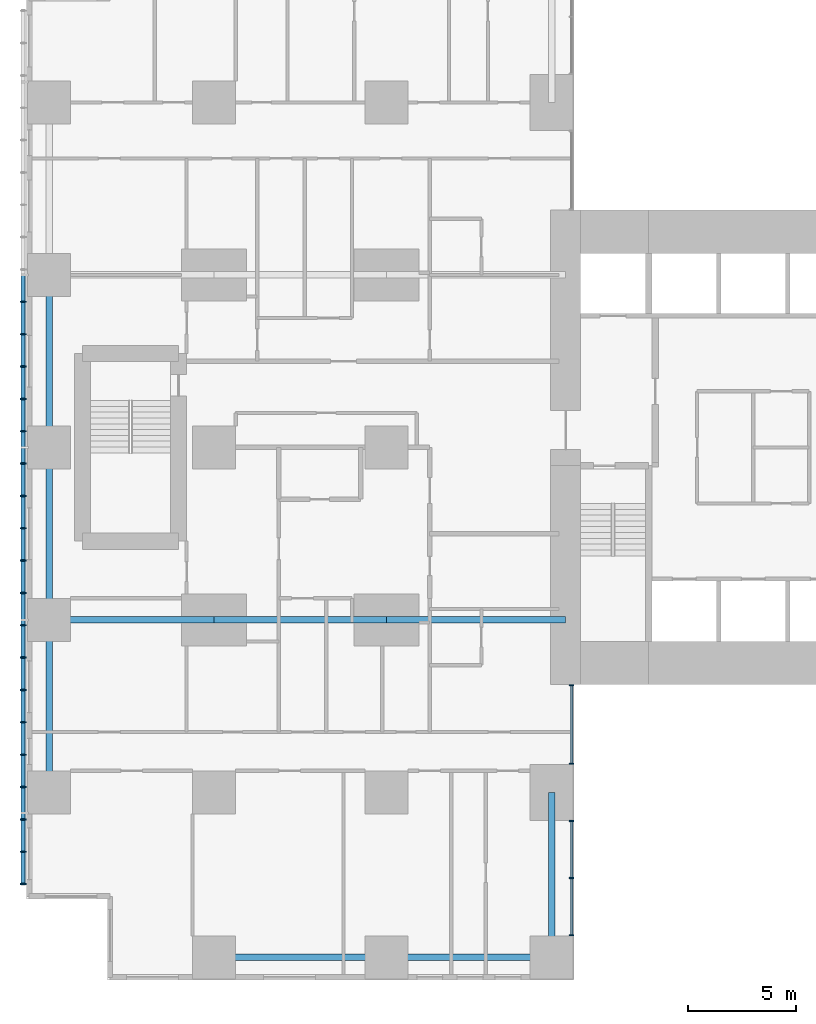
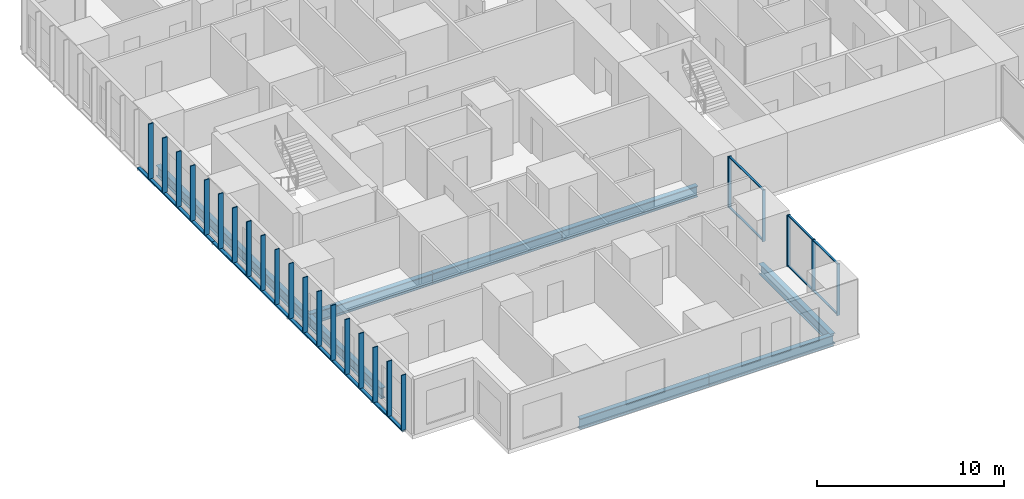
# One storey, part 2 of 20: 33 members, 9 beams, 2 elements without a shape of their own.
"""IFC4 building model written with IfcOpenShell, lengths in metres."""

from ifc_helpers import new_model, si_unit, direction, frame, origin, origin_2d, place, context, subcontext, project, spatial, rectangle, hollow_rectangle, i_section, extrude, material, layer, layer_set, material_profile, profile_set, type_object, element, aggregate, save


model = new_model("IFC4")

# Units and contexts
model_context = context("Model", 3, precision=1e-05, world=origin(), true_north=direction((0.0, 1.0)))
body_context = subcontext(model_context, "Body", "Model", "MODEL_VIEW")
ifc_project = project(units=[si_unit("LENGTHUNIT", "METRE"), si_unit("AREAUNIT", "SQUARE_METRE"), si_unit("VOLUMEUNIT", "CUBIC_METRE"), si_unit("PLANEANGLEUNIT", "RADIAN"), si_unit("MASSUNIT", "GRAM", prefix="KILO")], contexts=[model_context])

# Site, building, storey
site_placement = place(None, origin())
site = spatial("IfcSite", under=ifc_project, at=site_placement, CompositionType="ELEMENT")
building_placement = place(site_placement, origin())
building = spatial("IfcBuilding", under=site, at=building_placement, Name="Cleftline Residences", CompositionType="ELEMENT")
storey_placement = place(building_placement, frame((0.0, 0.0, 103.39990234375)))
storey = spatial("IfcBuildingStorey", under=building, at=storey_placement, Name="L26", CompositionType="ELEMENT", Elevation=103.39990234375)

# Members
ifc_material_1 = material(Name="Steel S355, hot-dip galvanised", Category="steel")
ifc_material_profile_1 = material_profile(ifc_material_1, hollow_rectangle(XDim=0.10009765625, YDim=0.199951171875, WallThickness=0.008056640625, InnerFilletRadius=0.008056640625, OuterFilletRadius=0.011962890625, at=origin_2d()))
ifc_profile_set_1 = profile_set([ifc_material_profile_1], Name="Steel S355, hot-dip galvanised")
member_type_1 = type_object("IfcMemberType", Name="BAGUETTE CARRIER RHS 200X100X8", PredefinedType="USERDEFINED", material=ifc_profile_set_1)
for number, where, z_axis, x_axis, name in (
    (1, (-0.85009765625, 32.0, -0.0498046875), (0.0, -1.0, 0.0), (0.0, 0.0, 1.0), "Baguette carrier"),
    (2, (-0.85009765625, 24.0, -0.0498046875), (0.0, -1.0, 0.0), (0.0, 0.0, 1.0), "Baguette carrier"),
):
    element("IfcMember", number, at=place(storey_placement, frame(where, z_axis=z_axis, x_axis=x_axis)), inside=storey, type_object=member_type_1, Name=name, ObjectType="BAGUETTE CARRIER", PredefinedType="USERDEFINED", context=body_context, shape_type="SweptSolid", body=[
        extrude(hollow_rectangle(XDim=0.10009765625, YDim=0.199951171875, WallThickness=0.008056640625, InnerFilletRadius=0.008056640625, OuterFilletRadius=0.011962890625, at=origin_2d()), origin(), (0.0, 0.0, 1.0), 8.0),
    ])
member_1_placement = place(storey_placement, frame((-0.85009765625, 16.0, -0.0498046875), z_axis=(0.0, -1.0, 0.0), x_axis=(0.0, 0.0, 1.0)))
element("IfcMember", 3, at=member_1_placement, inside=storey, type_object=member_type_1, Name="Baguette carrier", ObjectType="BAGUETTE CARRIER", PredefinedType="USERDEFINED", context=body_context, shape_type="SweptSolid", body=[
    extrude(hollow_rectangle(XDim=0.10009765625, YDim=0.199951171875, WallThickness=0.008056640625, InnerFilletRadius=0.008056640625, OuterFilletRadius=0.011962890625, at=origin_2d()), origin(), (0.0, 0.0, 1.0), 12.300048828125),
])

# Beams
ifc_material_2 = material(Name="Steel S355", Category="steel")
ifc_material_profile_2 = material_profile(ifc_material_2, i_section(OverallWidth=0.300048828125, OverallDepth=0.699951171875, WebThickness=0.01708984375, FlangeThickness=0.031982421875, FilletRadius=0.027099609375, at=origin_2d()))
ifc_profile_set_2 = profile_set([ifc_material_profile_2], Name="Steel S355")
beam_type_1 = type_object("IfcBeamType", Name="BEAM HEB 700", PredefinedType="BEAM", material=ifc_profile_set_2)
for number, where, z_axis, x_axis, name in (
    (4, (0.35009765625, 8.0, -0.599853515625), (0.0, 1.0, 0.0), (-1.0, 0.0, 0.0), "Edge beam"),
    (5, (0.35009765625, 16.0, -0.599853515625), (0.0, 1.0, 0.0), (-1.0, 0.0, 0.0), "Edge beam"),
    (6, (0.35009765625, 24.0, -0.599853515625), (0.0, 1.0, 0.0), (-1.0, 0.0, 0.0), "Edge beam"),
    (7, (8.0, 0.35009765625, -0.599853515625), (1.0, 0.0, 0.0), (0.0, 1.0, 0.0), "Edge beam"),
):
    element("IfcBeam", number, at=place(storey_placement, frame(where, z_axis=z_axis, x_axis=x_axis)), inside=storey, type_object=beam_type_1, Name=name, PredefinedType="BEAM", context=body_context, shape_type="SweptSolid", body=[
        extrude(i_section(OverallWidth=0.300048828125, OverallDepth=0.699951171875, WebThickness=0.01708984375, FlangeThickness=0.031982421875, FilletRadius=0.027099609375, at=origin_2d()), origin(), (0.0, 0.0, 1.0), 8.0),
    ])
for number, where, z_axis, x_axis, name in (
    (8, (16.0, 0.35009765625, -0.599853515625), (1.0, 0.0, 0.0), (0.0, 1.0, 0.0), "Edge beam"),
    (9, (23.64990234375, 0.35009765625, -0.599853515625), (0.0, 1.0, 0.0), (-1.0, 0.0, 0.0), "Edge beam"),
):
    element("IfcBeam", number, at=place(storey_placement, frame(where, z_axis=z_axis, x_axis=x_axis)), inside=storey, type_object=beam_type_1, Name=name, PredefinedType="BEAM", context=body_context, shape_type="SweptSolid", body=[
        extrude(i_section(OverallWidth=0.300048828125, OverallDepth=0.699951171875, WebThickness=0.01708984375, FlangeThickness=0.031982421875, FilletRadius=0.027099609375, at=origin_2d()), origin(), (0.0, 0.0, 1.0), 7.64990234375),
    ])
ifc_material_3 = material(Name="Steel S355", Category="steel")
ifc_material_profile_3 = material_profile(ifc_material_3, i_section(OverallWidth=0.303955078125, OverallDepth=0.716064453125, WebThickness=0.02099609375, FlangeThickness=0.0400390625, FilletRadius=0.027099609375, at=origin_2d()))
ifc_profile_set_3 = profile_set([ifc_material_profile_3], Name="Steel S355")
beam_type_2 = type_object("IfcBeamType", Name="BEAM HEM 700", PredefinedType="BEAM", material=ifc_profile_set_3)
beam_1_placement = place(storey_placement, frame((0.35009765625, 16.0, -0.60791015625), z_axis=(1.0, 0.0, 0.0), x_axis=(0.0, 1.0, 0.0)))
element("IfcBeam", 10, at=beam_1_placement, inside=storey, type_object=beam_type_2, Name="Band beam", PredefinedType="BEAM", context=body_context, shape_type="SweptSolid", body=[
    extrude(i_section(OverallWidth=0.303955078125, OverallDepth=0.716064453125, WebThickness=0.02099609375, FlangeThickness=0.0400390625, FilletRadius=0.027099609375, at=origin_2d()), origin(), (0.0, 0.0, 1.0), 7.64990234375),
])
beam_2_placement = place(storey_placement, frame((8.0, 16.0, -0.60791015625), z_axis=(1.0, 0.0, 0.0), x_axis=(0.0, 1.0, 0.0)))
element("IfcBeam", 11, at=beam_2_placement, inside=storey, type_object=beam_type_2, Name="Band beam", PredefinedType="BEAM", context=body_context, shape_type="SweptSolid", body=[
    extrude(i_section(OverallWidth=0.303955078125, OverallDepth=0.716064453125, WebThickness=0.02099609375, FlangeThickness=0.0400390625, FilletRadius=0.027099609375, at=origin_2d()), origin(), (0.0, 0.0, 1.0), 8.0),
])
beam_3_placement = place(storey_placement, frame((16.0, 16.0, -0.60791015625), z_axis=(1.0, 0.0, 0.0), x_axis=(0.0, 1.0, 0.0)))
element("IfcBeam", 12, at=beam_3_placement, inside=storey, type_object=beam_type_2, Name="Band beam", PredefinedType="BEAM", context=body_context, shape_type="SweptSolid", body=[
    extrude(i_section(OverallWidth=0.303955078125, OverallDepth=0.716064453125, WebThickness=0.02099609375, FlangeThickness=0.0400390625, FilletRadius=0.027099609375, at=origin_2d()), origin(), (0.0, 0.0, 1.0), 8.300048828125),
])

# Curtain wall, members
ifc_material_4 = material(Name="Aluminium framed curtain wall", Category="aluminium")
ifc_layer = layer(ifc_material_4, 0.199951171875)
ifc_layer_set = layer_set([ifc_layer], Name="CW1 CLEFT GLAZING")
curtain_wall_type = type_object("IfcCurtainWallType", Name="CW1 CLEFT GLAZING", PredefinedType="NOTDEFINED", material=ifc_layer_set)
curtain_wall_1_placement = place(storey_placement, origin())
curtain_wall_1 = element("IfcCurtainWall", 13, at=curtain_wall_1_placement, inside=storey, type_object=curtain_wall_type, Name="Curtain wall CW1", PredefinedType="NOTDEFINED")
ifc_material_5 = material(Name="Aluminium mullion", Category="aluminium")
ifc_material_profile_4 = material_profile(ifc_material_5, rectangle(XDim=0.199951171875, YDim=0.06005859375, at=origin_2d()))
ifc_profile_set_4 = profile_set([ifc_material_profile_4], Name="Aluminium mullion")
member_type_2 = type_object("IfcMemberType", Name="CW1 MULLION", PredefinedType="MULLION", material=ifc_profile_set_4)
member_2_placement = place(storey_placement, frame((24.574951171875, 1.3798828125, 0.0), z_axis=(0.0, 0.0, 1.0), x_axis=(-1.0, 0.0, 0.0)))
member_2 = element("IfcMember", 14, at=member_2_placement, type_object=member_type_2, Name="CW1 mullion 1", PredefinedType="MULLION", context=body_context, shape_type="SweptSolid", body=[
    extrude(rectangle(XDim=0.199951171875, YDim=0.06005859375, at=origin_2d()), origin(), (0.0, 0.0, 1.0), 3.35009765625),
])
member_3_placement = place(storey_placement, frame((24.574951171875, 4.02490234375, 0.0), z_axis=(0.0, 0.0, 1.0), x_axis=(-1.0, 0.0, 0.0)))
member_3 = element("IfcMember", 15, at=member_3_placement, type_object=member_type_2, Name="CW1 mullion 2", PredefinedType="MULLION", context=body_context, shape_type="SweptSolid", body=[
    extrude(rectangle(XDim=0.199951171875, YDim=0.06005859375, at=origin_2d()), origin(), (0.0, 0.0, 1.0), 3.35009765625),
])
member_4_placement = place(storey_placement, frame((24.574951171875, 6.669921875, 0.0), z_axis=(0.0, 0.0, 1.0), x_axis=(-1.0, 0.0, 0.0)))
member_4 = element("IfcMember", 16, at=member_4_placement, type_object=member_type_2, Name="CW1 mullion 3", PredefinedType="MULLION", context=body_context, shape_type="SweptSolid", body=[
    extrude(rectangle(XDim=0.199951171875, YDim=0.06005859375, at=origin_2d()), origin(), (0.0, 0.0, 1.0), 3.35009765625),
])

curtain_wall_2_placement = place(storey_placement, origin())
curtain_wall_2 = element("IfcCurtainWall", 17, at=curtain_wall_2_placement, inside=storey, type_object=curtain_wall_type, Name="Curtain wall CW1", PredefinedType="NOTDEFINED")
member_5_placement = place(storey_placement, frame((24.574951171875, 9.330078125, 0.0), z_axis=(0.0, 0.0, 1.0), x_axis=(-1.0, 0.0, 0.0)))
member_5 = element("IfcMember", 18, at=member_5_placement, type_object=member_type_2, Name="CW1 mullion 1", PredefinedType="MULLION", context=body_context, shape_type="SweptSolid", body=[
    extrude(rectangle(XDim=0.199951171875, YDim=0.06005859375, at=origin_2d()), origin(), (0.0, 0.0, 1.0), 3.35009765625),
])
member_6_placement = place(storey_placement, frame((24.574951171875, 12.969970703125, 0.0), z_axis=(0.0, 0.0, 1.0), x_axis=(-1.0, 0.0, 0.0)))
member_6 = element("IfcMember", 19, at=member_6_placement, type_object=member_type_2, Name="CW1 mullion 2", PredefinedType="MULLION", context=body_context, shape_type="SweptSolid", body=[
    extrude(rectangle(XDim=0.199951171875, YDim=0.06005859375, at=origin_2d()), origin(), (0.0, 0.0, 1.0), 3.35009765625),
])

# Member
ifc_material_6 = material(Name="Aluminium transom", Category="aluminium")
ifc_material_profile_5 = material_profile(ifc_material_6, rectangle(XDim=0.1201171875, YDim=0.06005859375, at=origin_2d()))
ifc_profile_set_5 = profile_set([ifc_material_profile_5], Name="Aluminium transom")
member_type_3 = type_object("IfcMemberType", Name="CW1 TRANSOM", PredefinedType="USERDEFINED", material=ifc_profile_set_5)
member_7_placement = place(storey_placement, frame((24.574951171875, 1.409912109375, 0.030029296875), z_axis=(0.0, 1.0, 0.0), x_axis=(-1.0, 0.0, 0.0)))
member_7 = element("IfcMember", 20, at=member_7_placement, type_object=member_type_3, Name="CW1 transom 1.1", ObjectType="TRANSOM", PredefinedType="USERDEFINED", context=body_context, shape_type="SweptSolid", body=[
    extrude(rectangle(XDim=0.1201171875, YDim=0.06005859375, at=origin_2d()), origin(), (0.0, 0.0, 1.0), 2.585205078125),
])

member_8_placement = place(storey_placement, frame((24.574951171875, 1.409912109375, 3.320068359375), z_axis=(0.0, 1.0, 0.0), x_axis=(-1.0, 0.0, 0.0)))
member_8 = element("IfcMember", 21, at=member_8_placement, type_object=member_type_3, Name="CW1 transom 1.2", ObjectType="TRANSOM", PredefinedType="USERDEFINED", context=body_context, shape_type="SweptSolid", body=[
    extrude(rectangle(XDim=0.1201171875, YDim=0.06005859375, at=origin_2d()), origin(), (0.0, 0.0, 1.0), 2.585205078125),
])

member_9_placement = place(storey_placement, frame((24.574951171875, 4.054931640625, 0.030029296875), z_axis=(0.0, 1.0, 0.0), x_axis=(-1.0, 0.0, 0.0)))
member_9 = element("IfcMember", 22, at=member_9_placement, type_object=member_type_3, Name="CW1 transom 2.1", ObjectType="TRANSOM", PredefinedType="USERDEFINED", context=body_context, shape_type="SweptSolid", body=[
    extrude(rectangle(XDim=0.1201171875, YDim=0.06005859375, at=origin_2d()), origin(), (0.0, 0.0, 1.0), 2.5849609375),
])

member_10_placement = place(storey_placement, frame((24.574951171875, 4.054931640625, 3.320068359375), z_axis=(0.0, 1.0, 0.0), x_axis=(-1.0, 0.0, 0.0)))
member_10 = element("IfcMember", 23, at=member_10_placement, type_object=member_type_3, Name="CW1 transom 2.2", ObjectType="TRANSOM", PredefinedType="USERDEFINED", context=body_context, shape_type="SweptSolid", body=[
    extrude(rectangle(XDim=0.1201171875, YDim=0.06005859375, at=origin_2d()), origin(), (0.0, 0.0, 1.0), 2.5849609375),
])

aggregate(curtain_wall_1, [member_2, member_3, member_4, member_7, member_8, member_9, member_10])

member_11_placement = place(storey_placement, frame((24.574951171875, 9.360107421875, 0.030029296875), z_axis=(0.0, 1.0, 0.0), x_axis=(-1.0, 0.0, 0.0)))
member_11 = element("IfcMember", 24, at=member_11_placement, type_object=member_type_3, Name="CW1 transom 1.1", ObjectType="TRANSOM", PredefinedType="USERDEFINED", context=body_context, shape_type="SweptSolid", body=[
    extrude(rectangle(XDim=0.1201171875, YDim=0.06005859375, at=origin_2d()), origin(), (0.0, 0.0, 1.0), 3.579833984375),
])

member_12_placement = place(storey_placement, frame((24.574951171875, 9.360107421875, 3.320068359375), z_axis=(0.0, 1.0, 0.0), x_axis=(-1.0, 0.0, 0.0)))
member_12 = element("IfcMember", 25, at=member_12_placement, type_object=member_type_3, Name="CW1 transom 1.2", ObjectType="TRANSOM", PredefinedType="USERDEFINED", context=body_context, shape_type="SweptSolid", body=[
    extrude(rectangle(XDim=0.1201171875, YDim=0.06005859375, at=origin_2d()), origin(), (0.0, 0.0, 1.0), 3.579833984375),
])

aggregate(curtain_wall_2, [member_5, member_6, member_11, member_12])

# Members
ifc_material_7 = material(Name="Extruded terracotta", Category="masonry")
ifc_material_profile_6 = material_profile(ifc_material_7, rectangle(XDim=0.06005859375, YDim=0.300048828125, at=origin_2d()))
ifc_profile_set_6 = profile_set([ifc_material_profile_6], Name="Extruded terracotta")
member_type_4 = type_object("IfcMemberType", Name="TERRACOTTA BAGUETTE 60X300", PredefinedType="USERDEFINED", material=ifc_profile_set_6)
for number, where, z_axis, x_axis, name in (
    (26, (-0.85009765625, 30.75, 0.0), (0.0, 0.0, 1.0), (0.0, 1.0, 0.0), "Terracotta baguette"),
    (27, (-0.85009765625, 29.25, 0.0), (0.0, 0.0, 1.0), (0.0, 1.0, 0.0), "Terracotta baguette"),
    (28, (-0.85009765625, 27.75, 0.0), (0.0, 0.0, 1.0), (0.0, 1.0, 0.0), "Terracotta baguette"),
    (29, (-0.85009765625, 26.25, 0.0), (0.0, 0.0, 1.0), (0.0, 1.0, 0.0), "Terracotta baguette"),
    (30, (-0.85009765625, 24.75, 0.0), (0.0, 0.0, 1.0), (0.0, 1.0, 0.0), "Terracotta baguette"),
    (31, (-0.85009765625, 23.25, 0.0), (0.0, 0.0, 1.0), (0.0, 1.0, 0.0), "Terracotta baguette"),
    (32, (-0.85009765625, 21.75, 0.0), (0.0, 0.0, 1.0), (0.0, 1.0, 0.0), "Terracotta baguette"),
    (33, (-0.85009765625, 20.25, 0.0), (0.0, 0.0, 1.0), (0.0, 1.0, 0.0), "Terracotta baguette"),
    (34, (-0.85009765625, 18.75, 0.0), (0.0, 0.0, 1.0), (0.0, 1.0, 0.0), "Terracotta baguette"),
    (35, (-0.85009765625, 17.25, 0.0), (0.0, 0.0, 1.0), (0.0, 1.0, 0.0), "Terracotta baguette"),
    (36, (-0.85009765625, 15.75, 0.0), (0.0, 0.0, 1.0), (0.0, 1.0, 0.0), "Terracotta baguette"),
    (37, (-0.85009765625, 14.25, 0.0), (0.0, 0.0, 1.0), (0.0, 1.0, 0.0), "Terracotta baguette"),
    (38, (-0.85009765625, 12.75, 0.0), (0.0, 0.0, 1.0), (0.0, 1.0, 0.0), "Terracotta baguette"),
    (39, (-0.85009765625, 11.25, 0.0), (0.0, 0.0, 1.0), (0.0, 1.0, 0.0), "Terracotta baguette"),
    (40, (-0.85009765625, 9.75, 0.0), (0.0, 0.0, 1.0), (0.0, 1.0, 0.0), "Terracotta baguette"),
    (41, (-0.85009765625, 8.25, 0.0), (0.0, 0.0, 1.0), (0.0, 1.0, 0.0), "Terracotta baguette"),
    (42, (-0.85009765625, 6.75, 0.0), (0.0, 0.0, 1.0), (0.0, 1.0, 0.0), "Terracotta baguette"),
    (43, (-0.85009765625, 5.25, 0.0), (0.0, 0.0, 1.0), (0.0, 1.0, 0.0), "Terracotta baguette"),
    (44, (-0.85009765625, 3.75, 0.0), (0.0, 0.0, 1.0), (0.0, 1.0, 0.0), "Terracotta baguette"),
):
    element("IfcMember", number, at=place(storey_placement, frame(where, z_axis=z_axis, x_axis=x_axis)), inside=storey, type_object=member_type_4, Name=name, ObjectType="BAGUETTE", PredefinedType="USERDEFINED", context=body_context, shape_type="SweptSolid", body=[
        extrude(rectangle(XDim=0.06005859375, YDim=0.300048828125, at=origin_2d()), origin(), (0.0, 0.0, 1.0), 3.60009765625),
    ])

save(model, "model.ifc")
